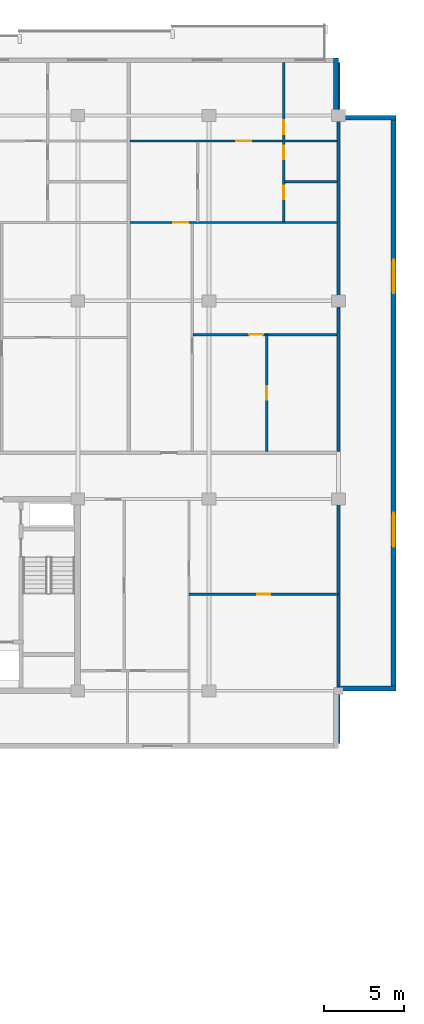
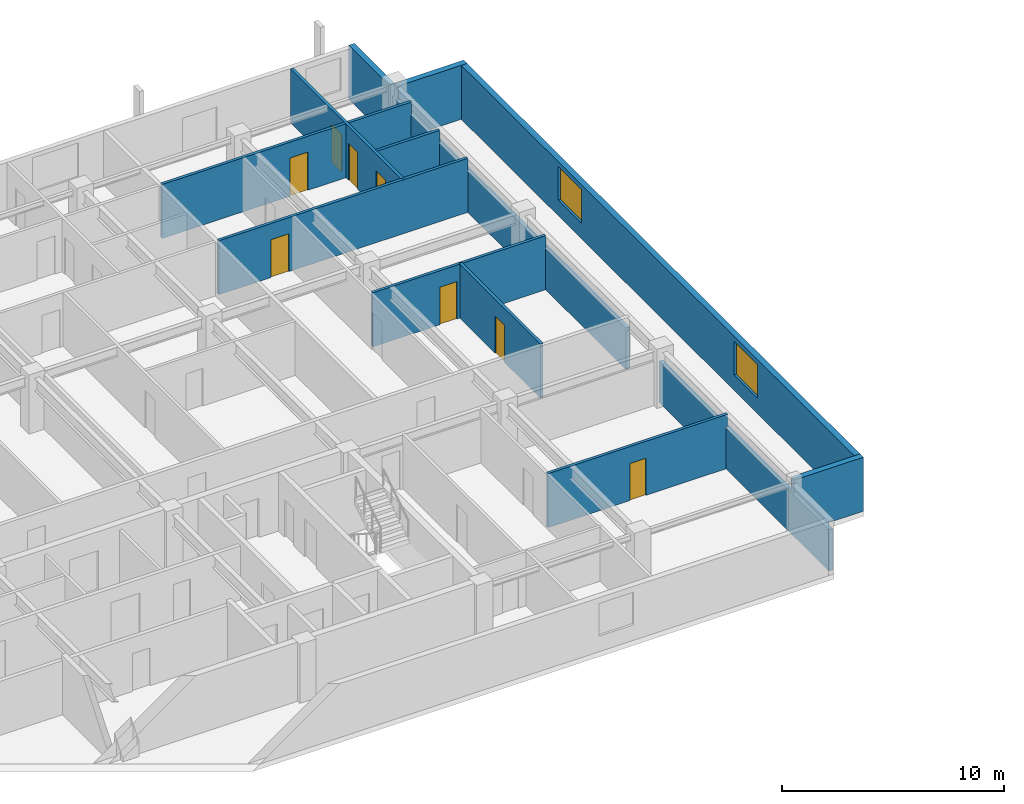
# One storey, part 15 of 21: 13 walls, 8 doors, 2 windows, 10 openings.
"""IFC4 building model written with IfcOpenShell, lengths in metres."""

from ifc_helpers import new_model, si_unit, direction, frame, frame_2d, origin, place, context, subcontext, project, spatial, rectangle, extrude, material, layer, layer_set, type_object, element, fill, save


model = new_model("IFC4")

# Units and contexts
model_context = context("Model", 3, precision=1e-05, world=origin(), true_north=direction((0.0, 1.0)))
body_context = subcontext(model_context, "Body", "Model", "MODEL_VIEW")
ifc_project = project(units=[si_unit("LENGTHUNIT", "METRE"), si_unit("AREAUNIT", "SQUARE_METRE"), si_unit("VOLUMEUNIT", "CUBIC_METRE"), si_unit("PLANEANGLEUNIT", "RADIAN"), si_unit("MASSUNIT", "GRAM", prefix="KILO")], contexts=[model_context])

# Site, building, storey
site_placement = place(None, origin())
site = spatial("IfcSite", under=ifc_project, at=site_placement, CompositionType="ELEMENT")
building_placement = place(site_placement, origin())
building = spatial("IfcBuilding", under=site, at=building_placement, Name="Korimba Cascade Residences", CompositionType="ELEMENT")
storey_placement = place(building_placement, frame((0.0, 0.0, 184.85009765625)))
storey = spatial("IfcBuildingStorey", under=building, at=storey_placement, Name="L53", CompositionType="ELEMENT", Elevation=184.85009765625)

# Wall
ifc_material_1 = material(Name="Precast concrete C40/50", Category="concrete")
ifc_layer_1 = layer(ifc_material_1, 0.300048828125)
ifc_layer_set_1 = layer_set([ifc_layer_1], Name="Precast concrete C40/50")
wall_type_1 = type_object("IfcWallType", Name="EW-STONE-300", PredefinedType="STANDARD", material=ifc_layer_set_1)
wall_1_placement = place(storey_placement, frame((128.39990234375, 55.35009765625, 0.0), z_axis=(0.0, 0.0, 1.0), x_axis=(1.0, 0.0, 0.0)))
element("IfcWall", 1, at=wall_1_placement, inside=storey, type_object=wall_type_1, Name="L53 T1 Perimeter Stone Wall E02", PredefinedType="STANDARD", context=body_context, shape_type="SweptSolid", body=[
    extrude(rectangle(XDim=3.60009765625, YDim=0.300048828125, at=frame_2d((1.800048828125, 0.0))), origin(), (0.0, 0.0, 1.0), 2.969970703125),
])

# Wall, openings, windows
wall_2_placement = place(storey_placement, frame((131.85009765625, 55.199951171875, 0.0), z_axis=(0.0, 0.0, 1.0), x_axis=(0.0, 1.0, 0.0)))
wall_2 = element("IfcWall", 2, at=wall_2_placement, inside=storey, type_object=wall_type_1, Name="L53 T1 Perimeter Stone Wall E03", PredefinedType="STANDARD", context=body_context, shape_type="SweptSolid", body=[
    extrude(rectangle(XDim=36.0, YDim=0.300048828125, at=frame_2d((18.0, 0.0))), origin(), (0.0, 0.0, 1.0), 2.969970703125),
])
opening_1_placement = place(wall_2_placement, frame((9.030029296875, 0.0, 0.85009765625)))
opening_1 = element("IfcOpeningElement", 3, at=opening_1_placement, cuts=wall_2, Name="Opening W-03", PredefinedType="OPENING", context=body_context, shape_type="SweptSolid", body=[
    extrude(rectangle(XDim=2.10009765625, YDim=1.85009765625, at=frame_2d((1.050048828125, 0.925048828125))), frame((0.0, 0.16015625, 0.0), z_axis=(0.0, -1.0, 0.0), x_axis=(1.0, 0.0, 0.0)), (0.0, 0.0, 1.0), 0.320068359375),
])
opening_2_placement = place(wall_2_placement, frame((24.8701171875, 0.0, 0.85009765625)))
opening_2 = element("IfcOpeningElement", 4, at=opening_2_placement, cuts=wall_2, Name="Opening W-03", PredefinedType="OPENING", context=body_context, shape_type="SweptSolid", body=[
    extrude(rectangle(XDim=2.10009765625, YDim=1.85009765625, at=frame_2d((1.050048828125, 0.925048828125))), frame((0.0, 0.16015625, 0.0), z_axis=(0.0, -1.0, 0.0), x_axis=(1.0, 0.0, 0.0)), (0.0, 0.0, 1.0), 0.320068359375),
])
ifc_material_2 = material(Name="Double-Glazed Aluminium Window", Category="aluminium")
window_type = type_object("IfcWindowType", Name="WIN-CRN-2100", PartitioningType="DOUBLE_PANEL_HORIZONTAL", PredefinedType="WINDOW", material=ifc_material_2)
window_1_placement = place(opening_1_placement, origin())
window_1 = element("IfcWindow", 5, at=window_1_placement, inside=storey, type_object=window_type, Name="L53 T1 End View Window 3.1", OverallHeight=1.85009765625, OverallWidth=2.10009765625, PartitioningType="DOUBLE_PANEL_HORIZONTAL", PredefinedType="WINDOW", context=body_context, shape_type="SweptSolid", body=[
    extrude(rectangle(XDim=2.10009765625, YDim=1.85009765625, at=frame_2d((1.050048828125, 0.925048828125))), frame((0.0, 0.030029296875, 0.0), z_axis=(0.0, -1.0, 0.0), x_axis=(1.0, 0.0, 0.0)), (0.0, 0.0, 1.0), 0.06005859375),
])
fill(opening_1, window_1)
window_2_placement = place(opening_2_placement, origin())
window_2 = element("IfcWindow", 6, at=window_2_placement, inside=storey, type_object=window_type, Name="L53 T1 End View Window 3.2", OverallHeight=1.85009765625, OverallWidth=2.10009765625, PartitioningType="DOUBLE_PANEL_HORIZONTAL", PredefinedType="WINDOW", context=body_context, shape_type="SweptSolid", body=[
    extrude(rectangle(XDim=2.10009765625, YDim=1.85009765625, at=frame_2d((1.050048828125, 0.925048828125))), frame((0.0, 0.030029296875, 0.0), z_axis=(0.0, -1.0, 0.0), x_axis=(1.0, 0.0, 0.0)), (0.0, 0.0, 1.0), 0.06005859375),
])
fill(opening_2, window_2)

# Walls
for number, where, z_axis, x_axis, name in (
    (7, (132.0, 91.050048828125, 0.0), (0.0, 0.0, 1.0), (-1.0, 0.0, 0.0), "L53 T1 Perimeter Stone Wall E04"),
    (8, (128.25, 91.199951171875, 0.0), (0.0, 0.0, 1.0), (0.0, 1.0, 0.0), "L53 T1 Perimeter Stone Wall E05"),
):
    element("IfcWall", number, at=place(storey_placement, frame(where, z_axis=z_axis, x_axis=x_axis)), inside=storey, type_object=wall_type_1, Name=name, PredefinedType="STANDARD", context=body_context, shape_type="SweptSolid", body=[
        extrude(rectangle(XDim=3.60009765625, YDim=0.300048828125, at=frame_2d((1.800048828125, 0.0))), origin(), (0.0, 0.0, 1.0), 2.969970703125),
    ])
ifc_layer_2 = layer(ifc_material_1, 0.199951171875)
ifc_layer_set_2 = layer_set([ifc_layer_2], Name="Precast concrete C40/50")
wall_type_2 = type_object("IfcWallType", Name="WAL-IT-200", PredefinedType="PARTITIONING", material=ifc_layer_set_2)
wall_3_placement = place(storey_placement, frame((128.39990234375, 51.89990234375, 0.0), z_axis=(0.0, 0.0, 1.0), x_axis=(0.0, 1.0, 0.0)))
element("IfcWall", 9, at=wall_3_placement, inside=storey, type_object=wall_type_2, Name="L53 Partition Wall WAL-L53-T1-FE-WR", PredefinedType="PARTITIONING", context=body_context, shape_type="SweptSolid", body=[
    extrude(rectangle(XDim=15.300048828125, YDim=0.199951171875, at=frame_2d((7.64990234375, 0.0))), origin(), (0.0, 0.0, 1.0), 2.277099609375),
])
wall_4_placement = place(storey_placement, frame((128.39990234375, 70.179931640625, 0.0), z_axis=(0.0, 0.0, 1.0), x_axis=(0.0, 1.0, 0.0)))
element("IfcWall", 10, at=wall_4_placement, inside=storey, type_object=wall_type_2, Name="L53 Partition Wall WAL-L53-T1-BNDWR", PredefinedType="PARTITIONING", context=body_context, shape_type="SweptSolid", body=[
    extrude(rectangle(XDim=24.320068359375, YDim=0.199951171875, at=frame_2d((12.16015625, 0.0))), origin(), (0.0, 0.0, 1.0), 2.277099609375),
])

# Wall, opening, door
ifc_material_3 = material(Name="Insulated Acoustic Stud Partition", Category="gypsum")
ifc_layer_3 = layer(ifc_material_3, 0.14990234375)
ifc_layer_set_3 = layer_set([ifc_layer_3], Name="Insulated Acoustic Stud Partition")
wall_type_3 = type_object("IfcWallType", Name="WAL-PART-150", PredefinedType="PARTITIONING", material=ifc_layer_set_3)
wall_5_placement = place(storey_placement, frame((119.050048828125, 61.25, 0.0), z_axis=(0.0, 0.0, 1.0), x_axis=(1.0, 0.0, 0.0)))
wall_5 = element("IfcWall", 11, at=wall_5_placement, inside=storey, type_object=wall_type_3, Name="L53 Partition Wall WAL-L53-T1-FE-STH", PredefinedType="PARTITIONING", context=body_context, shape_type="SweptSolid", body=[
    extrude(rectangle(XDim=9.349853515625, YDim=0.14990234375, at=frame_2d((4.6748046875, 0.0))), origin(), (0.0, 0.0, 1.0), 2.969970703125),
])
opening_3_placement = place(wall_5_placement, frame((4.2548828125, 0.0, 0.0)))
opening_3 = element("IfcOpeningElement", 12, at=opening_3_placement, cuts=wall_5, Name="Opening D-BT1", PredefinedType="OPENING", context=body_context, shape_type="SweptSolid", body=[
    extrude(rectangle(XDim=0.840087890625, YDim=2.0400390625, at=frame_2d((0.419921875, 1.02001953125))), frame((0.0, 0.0849609375, 0.0), z_axis=(0.0, -1.0, 0.0), x_axis=(1.0, 0.0, 0.0)), (0.0, 0.0, 1.0), 0.169921875),
])
ifc_material_4 = material(Name="Moisture-Resistant Bathroom Timber Door", Category="wood")
door_type_1 = type_object("IfcDoorType", Name="DR-INT-850", OperationType="NOTDEFINED", PredefinedType="DOOR", material=ifc_material_4)
door_1_placement = place(opening_3_placement, origin())
door_1 = element("IfcDoor", 13, at=door_1_placement, inside=storey, type_object=door_type_1, Name="L53-T1-FE Dressing Store Door", OperationType="SINGLE_SWING_RIGHT", OverallHeight=2.0400390625, OverallWidth=0.840087890625, PredefinedType="DOOR", context=body_context, shape_type="SweptSolid", body=[
    extrude(rectangle(XDim=0.840087890625, YDim=2.0400390625, at=frame_2d((0.419921875, 1.02001953125))), frame((0.0, 0.02490234375, 0.0), z_axis=(0.0, -1.0, 0.0), x_axis=(1.0, 0.0, 0.0)), (0.0, 0.0, 1.0), 0.050048828125),
])
fill(opening_3, door_1)

wall_6_placement = place(storey_placement, frame((123.913818359375, 70.159912109375, 0.0), z_axis=(0.0, 0.0, 1.0), x_axis=(0.0, 1.0, 0.0)))
wall_6 = element("IfcWall", 14, at=wall_6_placement, inside=storey, type_object=wall_type_3, Name="L53 Partition Wall WAL-L53-T1-U05-FMV", PredefinedType="PARTITIONING", context=body_context, shape_type="SweptSolid", body=[
    extrude(rectangle(XDim=7.330078125, YDim=0.14990234375, at=frame_2d((3.6650390625, 0.0))), origin(), (0.0, 0.0, 1.0), 2.969970703125),
])
opening_4_placement = place(wall_6_placement, frame((3.2451171875, 0.0, 0.0)))
opening_4 = element("IfcOpeningElement", 15, at=opening_4_placement, cuts=wall_6, Name="Opening D-BT1", PredefinedType="OPENING", context=body_context, shape_type="SweptSolid", body=[
    extrude(rectangle(XDim=0.840087890625, YDim=2.0400390625, at=frame_2d((0.419921875, 1.02001953125))), frame((0.0, 0.0849609375, 0.0), z_axis=(0.0, -1.0, 0.0), x_axis=(1.0, 0.0, 0.0)), (0.0, 0.0, 1.0), 0.169921875),
])
door_2_placement = place(opening_4_placement, origin())
door_2 = element("IfcDoor", 16, at=door_2_placement, inside=storey, type_object=door_type_1, Name="L53-T1-U05 Wardrobe Door", OperationType="SINGLE_SWING_RIGHT", OverallHeight=2.0400390625, OverallWidth=0.840087890625, PredefinedType="DOOR", context=body_context, shape_type="SweptSolid", body=[
    extrude(rectangle(XDim=0.840087890625, YDim=2.0400390625, at=frame_2d((0.419921875, 1.02001953125))), frame((0.0, 0.02490234375, 0.0), z_axis=(0.0, -1.0, 0.0), x_axis=(1.0, 0.0, 0.0)), (0.0, 0.0, 1.0), 0.050048828125),
])
fill(opening_4, door_2)

wall_7_placement = place(storey_placement, frame((119.307373046875, 77.489990234375, 0.0), z_axis=(0.0, 0.0, 1.0), x_axis=(1.0, 0.0, 0.0)))
wall_7 = element("IfcWall", 17, at=wall_7_placement, inside=storey, type_object=wall_type_3, Name="L53 Partition Wall WAL-L53-T1-U05-FMH", PredefinedType="PARTITIONING", context=body_context, shape_type="SweptSolid", body=[
    extrude(rectangle(XDim=9.0126953125, YDim=0.14990234375, at=frame_2d((4.50634765625, 0.0))), origin(), (0.0, 0.0, 1.0), 2.969970703125),
])
opening_5_placement = place(wall_7_placement, frame((3.50634765625, 0.0, 0.0)))
opening_5 = element("IfcOpeningElement", 18, at=opening_5_placement, cuts=wall_7, Name="Opening D-IN2", PredefinedType="OPENING", context=body_context, shape_type="SweptSolid", body=[
    extrude(rectangle(XDim=0.8798828125, YDim=2.06005859375, at=frame_2d((0.43994140625, 1.030029296875))), frame((0.0, 0.0849609375, 0.0), z_axis=(0.0, -1.0, 0.0), x_axis=(1.0, 0.0, 0.0)), (0.0, 0.0, 1.0), 0.169921875),
])
ifc_material_5 = material(Name="Acoustic Timber Bedroom Door", Category="wood")
door_type_2 = type_object("IfcDoorType", Name="DR-INT-880", OperationType="NOTDEFINED", PredefinedType="DOOR", material=ifc_material_5)
door_3_placement = place(opening_5_placement, origin())
door_3 = element("IfcDoor", 19, at=door_3_placement, inside=storey, type_object=door_type_2, Name="L53-T1-U05 Library Salon Door", OperationType="SINGLE_SWING_LEFT", OverallHeight=2.06005859375, OverallWidth=0.8798828125, PredefinedType="DOOR", context=body_context, shape_type="SweptSolid", body=[
    extrude(rectangle(XDim=0.8798828125, YDim=2.06005859375, at=frame_2d((0.43994140625, 1.030029296875))), frame((0.0, 0.02490234375, 0.0), z_axis=(0.0, -1.0, 0.0), x_axis=(1.0, 0.0, 0.0)), (0.0, 0.0, 1.0), 0.050048828125),
])
fill(opening_5, door_3)

# Wall
wall_8_placement = place(storey_placement, frame((125.0400390625, 87.0400390625, 0.0), z_axis=(0.0, 0.0, 1.0), x_axis=(1.0, 0.0, 0.0)))
element("IfcWall", 20, at=wall_8_placement, inside=storey, type_object=wall_type_3, Name="L53 Partition Wall WAL-L53-T1-U05-BLDIV", PredefinedType="PARTITIONING", context=body_context, shape_type="SweptSolid", body=[
    extrude(rectangle(XDim=3.280029296875, YDim=0.14990234375, at=frame_2d((1.64013671875, 0.0))), origin(), (0.0, 0.0, 1.0), 2.969970703125),
])

# Wall, openings, doors
wall_9_placement = place(storey_placement, frame((124.97998046875, 84.5400390625, 0.0), z_axis=(0.0, 0.0, 1.0), x_axis=(0.0, 1.0, 0.0)))
wall_9 = element("IfcWall", 21, at=wall_9_placement, inside=storey, type_object=wall_type_3, Name="L53 Partition Wall WAL-L53-T1-U05-V1", PredefinedType="PARTITIONING", context=body_context, shape_type="SweptSolid", body=[
    extrude(rectangle(XDim=9.9599609375, YDim=0.14990234375, at=frame_2d((4.97998046875, 0.0))), origin(), (0.0, 0.0, 1.0), 2.969970703125),
])
opening_6_placement = place(wall_9_placement, frame((1.430419921875, 0.0, 0.0)))
opening_6 = element("IfcOpeningElement", 22, at=opening_6_placement, cuts=wall_9, Name="Opening D-BT1", PredefinedType="OPENING", context=body_context, shape_type="SweptSolid", body=[
    extrude(rectangle(XDim=0.840087890625, YDim=2.0400390625, at=frame_2d((0.419921875, 1.02001953125))), frame((0.0, 0.0849609375, 0.0), z_axis=(0.0, -1.0, 0.0), x_axis=(1.0, 0.0, 0.0)), (0.0, 0.0, 1.0), 0.169921875),
])
opening_7_placement = place(wall_9_placement, frame((3.919921875, 0.0, 0.0)))
opening_7 = element("IfcOpeningElement", 23, at=opening_7_placement, cuts=wall_9, Name="Opening D-BT1", PredefinedType="OPENING", context=body_context, shape_type="SweptSolid", body=[
    extrude(rectangle(XDim=0.840087890625, YDim=2.0400390625, at=frame_2d((0.419921875, 1.02001953125))), frame((0.0, 0.0849609375, 0.0), z_axis=(0.0, -1.0, 0.0), x_axis=(1.0, 0.0, 0.0)), (0.0, 0.0, 1.0), 0.169921875),
])
opening_8_placement = place(wall_9_placement, frame((5.47998046875, 0.0, 0.0)))
opening_8 = element("IfcOpeningElement", 24, at=opening_8_placement, cuts=wall_9, Name="Opening D-IN2", PredefinedType="OPENING", context=body_context, shape_type="SweptSolid", body=[
    extrude(rectangle(XDim=0.8798828125, YDim=2.06005859375, at=frame_2d((0.43994140625, 1.030029296875))), frame((0.0, 0.0849609375, 0.0), z_axis=(0.0, -1.0, 0.0), x_axis=(1.0, 0.0, 0.0)), (0.0, 0.0, 1.0), 0.169921875),
])
door_4_placement = place(opening_6_placement, origin())
door_4 = element("IfcDoor", 25, at=door_4_placement, inside=storey, type_object=door_type_1, Name="L53-T1-U05 Bathroom Door", OperationType="SINGLE_SWING_RIGHT", OverallHeight=2.0400390625, OverallWidth=0.840087890625, PredefinedType="DOOR", context=body_context, shape_type="SweptSolid", body=[
    extrude(rectangle(XDim=0.840087890625, YDim=2.0400390625, at=frame_2d((0.419921875, 1.02001953125))), frame((0.0, 0.02490234375, 0.0), z_axis=(0.0, -1.0, 0.0), x_axis=(1.0, 0.0, 0.0)), (0.0, 0.0, 1.0), 0.050048828125),
])
fill(opening_6, door_4)
door_5_placement = place(opening_7_placement, origin())
door_5 = element("IfcDoor", 26, at=door_5_placement, inside=storey, type_object=door_type_1, Name="L53-T1-U05 Laundry Door", OperationType="SINGLE_SWING_LEFT", OverallHeight=2.0400390625, OverallWidth=0.840087890625, PredefinedType="DOOR", context=body_context, shape_type="SweptSolid", body=[
    extrude(rectangle(XDim=0.840087890625, YDim=2.0400390625, at=frame_2d((0.419921875, 1.02001953125))), frame((0.0, 0.02490234375, 0.0), z_axis=(0.0, -1.0, 0.0), x_axis=(1.0, 0.0, 0.0)), (0.0, 0.0, 1.0), 0.050048828125),
])
fill(opening_7, door_5)
door_6_placement = place(opening_8_placement, origin())
door_6 = element("IfcDoor", 27, at=door_6_placement, inside=storey, type_object=door_type_2, Name="L53-T1-U05 Bedroom 1 Door", OperationType="SINGLE_SWING_RIGHT", OverallHeight=2.06005859375, OverallWidth=0.8798828125, PredefinedType="DOOR", context=body_context, shape_type="SweptSolid", body=[
    extrude(rectangle(XDim=0.8798828125, YDim=2.06005859375, at=frame_2d((0.43994140625, 1.030029296875))), frame((0.0, 0.02490234375, 0.0), z_axis=(0.0, -1.0, 0.0), x_axis=(1.0, 0.0, 0.0)), (0.0, 0.0, 1.0), 0.050048828125),
])
fill(opening_8, door_6)

# Wall, opening, door
wall_10_placement = place(storey_placement, frame((115.357421875, 84.5, 0.0), z_axis=(0.0, 0.0, 1.0), x_axis=(1.0, 0.0, 0.0)))
wall_10 = element("IfcWall", 28, at=wall_10_placement, inside=storey, type_object=wall_type_3, Name="L53 Partition Wall WAL-L53-T1-U05-MW", PredefinedType="PARTITIONING", context=body_context, shape_type="SweptSolid", body=[
    extrude(rectangle(XDim=12.962646484375, YDim=0.14990234375, at=frame_2d((6.4814453125, 0.0))), origin(), (0.0, 0.0, 1.0), 2.969970703125),
])
opening_9_placement = place(wall_10_placement, frame((2.719970703125, 0.0, 0.0)))
opening_9 = element("IfcOpeningElement", 29, at=opening_9_placement, cuts=wall_10, Name="Opening D-IN1", PredefinedType="OPENING", context=body_context, shape_type="SweptSolid", body=[
    extrude(rectangle(XDim=0.919921875, YDim=2.080078125, at=frame_2d((0.4599609375, 1.0400390625))), frame((0.0, 0.0849609375, 0.0), z_axis=(0.0, -1.0, 0.0), x_axis=(1.0, 0.0, 0.0)), (0.0, 0.0, 1.0), 0.169921875),
])
ifc_material_6 = material(Name="Acoustic Timber Living Door", Category="wood")
door_type_3 = type_object("IfcDoorType", Name="DR-INT-920", OperationType="NOTDEFINED", PredefinedType="DOOR", material=ifc_material_6)
door_7_placement = place(opening_9_placement, origin())
door_7 = element("IfcDoor", 30, at=door_7_placement, inside=storey, type_object=door_type_3, Name="L53-T1-U05 Kitchen Archway Door", OperationType="SINGLE_SWING_LEFT", OverallHeight=2.080078125, OverallWidth=0.919921875, PredefinedType="DOOR", context=body_context, shape_type="SweptSolid", body=[
    extrude(rectangle(XDim=0.919921875, YDim=2.080078125, at=frame_2d((0.4599609375, 1.0400390625))), frame((0.0, 0.02490234375, 0.0), z_axis=(0.0, -1.0, 0.0), x_axis=(1.0, 0.0, 0.0)), (0.0, 0.0, 1.0), 0.050048828125),
])
fill(opening_9, door_7)

wall_11_placement = place(storey_placement, frame((115.357421875, 89.60009765625, 0.0), z_axis=(0.0, 0.0, 1.0), x_axis=(1.0, 0.0, 0.0)))
wall_11 = element("IfcWall", 31, at=wall_11_placement, inside=storey, type_object=wall_type_3, Name="L53 Partition Wall WAL-L53-T1-U05-HZ", PredefinedType="PARTITIONING", context=body_context, shape_type="SweptSolid", body=[
    extrude(rectangle(XDim=12.962646484375, YDim=0.14990234375, at=frame_2d((6.4814453125, 0.0))), origin(), (0.0, 0.0, 1.0), 2.969970703125),
])
opening_10_placement = place(wall_11_placement, frame((6.632568359375, 0.0, 0.0)))
opening_10 = element("IfcOpeningElement", 32, at=opening_10_placement, cuts=wall_11, Name="Opening D-IN0", PredefinedType="OPENING", context=body_context, shape_type="SweptSolid", body=[
    extrude(rectangle(XDim=0.93994140625, YDim=2.10009765625, at=frame_2d((0.469970703125, 1.050048828125))), frame((0.0, 0.0849609375, 0.0), z_axis=(0.0, -1.0, 0.0), x_axis=(1.0, 0.0, 0.0)), (0.0, 0.0, 1.0), 0.169921875),
])
ifc_material_7 = material(Name="Acoustic Timber Living Archway Door", Category="wood")
door_type_4 = type_object("IfcDoorType", Name="DR-INT-950", OperationType="NOTDEFINED", PredefinedType="DOOR", material=ifc_material_7)
door_8_placement = place(opening_10_placement, origin())
door_8 = element("IfcDoor", 33, at=door_8_placement, inside=storey, type_object=door_type_4, Name="L53-T1-U05 Living Archway Door", OperationType="SINGLE_SWING_RIGHT", OverallHeight=2.10009765625, OverallWidth=0.93994140625, PredefinedType="DOOR", context=body_context, shape_type="SweptSolid", body=[
    extrude(rectangle(XDim=0.93994140625, YDim=2.10009765625, at=frame_2d((0.469970703125, 1.050048828125))), frame((0.0, 0.02490234375, 0.0), z_axis=(0.0, -1.0, 0.0), x_axis=(1.0, 0.0, 0.0)), (0.0, 0.0, 1.0), 0.050048828125),
])
fill(opening_10, door_8)

save(model, "model.ifc")
